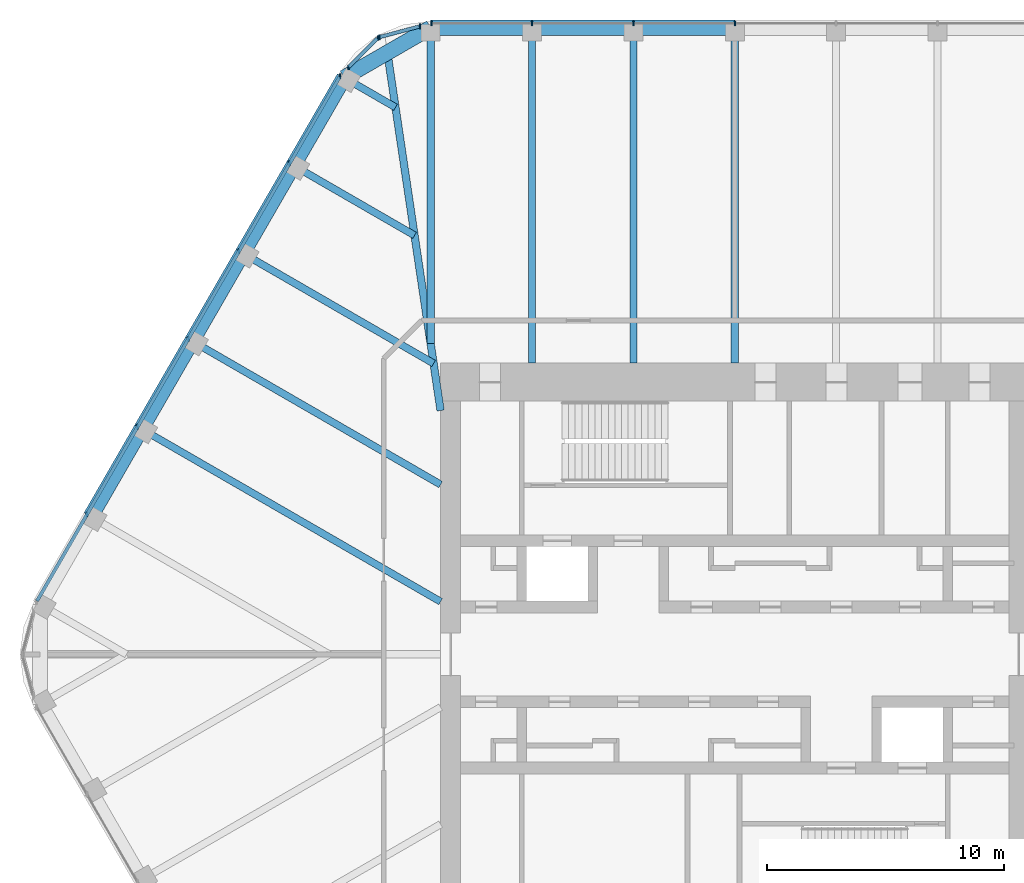
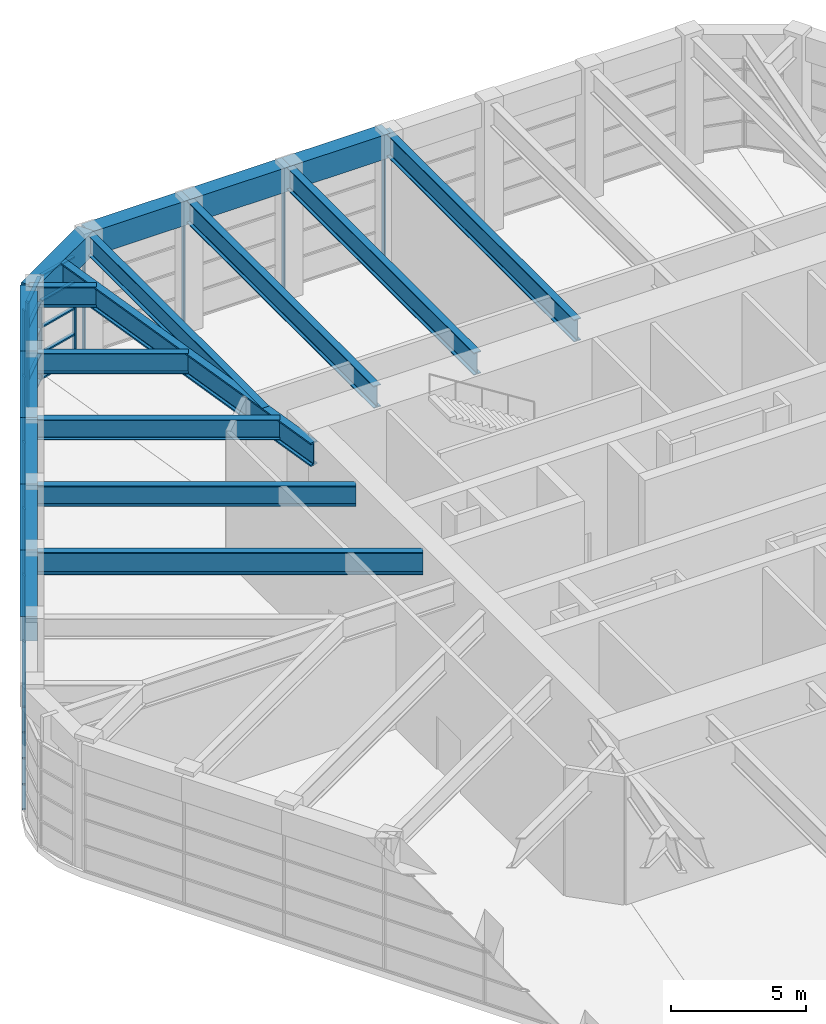
# One storey, part 7 of 16: 29 members, 19 beams, 4 elements without a shape of their own.
"""IFC4 building model written with IfcOpenShell, lengths in metres."""

from ifc_helpers import new_model, si_unit, direction, frame, origin, origin_2d, place, context, subcontext, project, spatial, rectangle, i_section, extrude, material, material_profile, profile_set, type_object, element, aggregate, save


model = new_model("IFC4")

# Units and contexts
model_context = context("Model", 3, precision=1e-05, world=origin(), true_north=direction((0.0, 1.0)))
body_context = subcontext(model_context, "Body", "Model", "MODEL_VIEW")
ifc_project = project(units=[si_unit("LENGTHUNIT", "METRE"), si_unit("AREAUNIT", "SQUARE_METRE"), si_unit("VOLUMEUNIT", "CUBIC_METRE"), si_unit("PLANEANGLEUNIT", "RADIAN"), si_unit("MASSUNIT", "GRAM", prefix="KILO")], contexts=[model_context])

# Site, building, storey
site_placement = place(None, origin())
site = spatial("IfcSite", under=ifc_project, at=site_placement, CompositionType="ELEMENT")
building_placement = place(site_placement, origin())
building = spatial("IfcBuilding", under=site, at=building_placement, Name="Tarfa Lantern Tower", CompositionType="ELEMENT")
storey_placement = place(building_placement, frame((0.0, 0.0, 396.300048828125)))
storey = spatial("IfcBuildingStorey", under=building, at=storey_placement, Name="L90", CompositionType="ELEMENT", Elevation=396.300048828125)

# Curtain wall, members
ifc_material_1 = material(Name="Aluminium framed curtain wall", Category="aluminium")
curtain_wall_type = type_object("IfcCurtainWallType", Name="CW8 LANTERN GLAZING 4700", PredefinedType="USERDEFINED", material=ifc_material_1)
curtain_wall_1_placement = place(storey_placement, origin())
curtain_wall_1 = element("IfcCurtainWall", 1, at=curtain_wall_1_placement, inside=storey, type_object=curtain_wall_type, Name="CW8 NNW1 L90", ObjectType="CURTAIN WALL", PredefinedType="USERDEFINED")
ifc_material_2 = material(Name="Aluminium mullion", Category="aluminium")
ifc_material_profile_1 = material_profile(ifc_material_2, rectangle(XDim=0.06494140625, YDim=0.199951171875, at=origin_2d()), Name="AL MULLION 65x200")
ifc_profile_set_1 = profile_set([ifc_material_profile_1], Name="Aluminium mullion")
member_type_1 = type_object("IfcMemberType", Name="CWM1 MULLION 65x200", PredefinedType="MULLION", material=ifc_profile_set_1)
member_1_placement = place(storey_placement, frame((-13.30322265625, 26.527587890625, 0.0), z_axis=(0.0, 0.0, 1.0), x_axis=(1.0, 0.0, 0.0)))
member_1 = element("IfcMember", 2, at=member_1_placement, type_object=member_type_1, Name="CW8 mullion 1", PredefinedType="MULLION", context=body_context, shape_type="SweptSolid", body=[
    extrude(rectangle(XDim=0.06494140625, YDim=0.199951171875, at=origin_2d()), origin(), (0.0, 0.0, 1.0), 4.699951171875),
])
member_2_placement = place(storey_placement, frame((-15.0146484375, 26.06884765625, 0.0), z_axis=(0.0, 0.0, 1.0), x_axis=(1.0, 0.0, 0.0)))
member_2 = element("IfcMember", 3, at=member_2_placement, type_object=member_type_1, Name="CW8 mullion 2", PredefinedType="MULLION", context=body_context, shape_type="SweptSolid", body=[
    extrude(rectangle(XDim=0.06494140625, YDim=0.199951171875, at=origin_2d()), origin(), (0.0, 0.0, 1.0), 4.699951171875),
])

curtain_wall_2_placement = place(storey_placement, origin())
curtain_wall_2 = element("IfcCurtainWall", 4, at=curtain_wall_2_placement, inside=storey, type_object=curtain_wall_type, Name="CW8 NNW2 L90", ObjectType="CURTAIN WALL", PredefinedType="USERDEFINED")
member_3_placement = place(storey_placement, frame((-15.069091796875, 26.03759765625, 0.0), z_axis=(0.0, 0.0, 1.0), x_axis=(1.0, 0.0, 0.0)))
member_3 = element("IfcMember", 5, at=member_3_placement, type_object=member_type_1, Name="CW8 mullion 1", PredefinedType="MULLION", context=body_context, shape_type="SweptSolid", body=[
    extrude(rectangle(XDim=0.06494140625, YDim=0.199951171875, at=origin_2d()), origin(), (0.0, 0.0, 1.0), 4.699951171875),
])
member_4_placement = place(storey_placement, frame((-16.32177734375, 24.78466796875, 0.0), z_axis=(0.0, 0.0, 1.0), x_axis=(1.0, 0.0, 0.0)))
member_4 = element("IfcMember", 6, at=member_4_placement, type_object=member_type_1, Name="CW8 mullion 2", PredefinedType="MULLION", context=body_context, shape_type="SweptSolid", body=[
    extrude(rectangle(XDim=0.06494140625, YDim=0.199951171875, at=origin_2d()), origin(), (0.0, 0.0, 1.0), 4.699951171875),
])

curtain_wall_3_placement = place(storey_placement, origin())
curtain_wall_3 = element("IfcCurtainWall", 7, at=curtain_wall_3_placement, inside=storey, type_object=curtain_wall_type, Name="CW8 N L90", ObjectType="CURTAIN WALL", PredefinedType="USERDEFINED")
member_5_placement = place(storey_placement, frame((0.0, 26.64990234375, 0.0), z_axis=(0.0, 0.0, 1.0), x_axis=(1.0, 0.0, 0.0)))
member_5 = element("IfcMember", 8, at=member_5_placement, type_object=member_type_1, Name="CW8 mullion 4", PredefinedType="MULLION", context=body_context, shape_type="SweptSolid", body=[
    extrude(rectangle(XDim=0.06494140625, YDim=0.199951171875, at=origin_2d()), origin(), (0.0, 0.0, 1.0), 4.699951171875),
])
member_6_placement = place(storey_placement, frame((-4.281982421875, 26.64990234375, 0.0), z_axis=(0.0, 0.0, 1.0), x_axis=(1.0, 0.0, 0.0)))
member_6 = element("IfcMember", 9, at=member_6_placement, type_object=member_type_1, Name="CW8 mullion 5", PredefinedType="MULLION", context=body_context, shape_type="SweptSolid", body=[
    extrude(rectangle(XDim=0.06494140625, YDim=0.199951171875, at=origin_2d()), origin(), (0.0, 0.0, 1.0), 4.699951171875),
])
member_7_placement = place(storey_placement, frame((-8.56396484375, 26.64990234375, 0.0), z_axis=(0.0, 0.0, 1.0), x_axis=(1.0, 0.0, 0.0)))
member_7 = element("IfcMember", 10, at=member_7_placement, type_object=member_type_1, Name="CW8 mullion 6", PredefinedType="MULLION", context=body_context, shape_type="SweptSolid", body=[
    extrude(rectangle(XDim=0.06494140625, YDim=0.199951171875, at=origin_2d()), origin(), (0.0, 0.0, 1.0), 4.699951171875),
])
member_8_placement = place(storey_placement, frame((-12.8134765625, 26.64990234375, 0.0), z_axis=(0.0, 0.0, 1.0), x_axis=(1.0, 0.0, 0.0)))
member_8 = element("IfcMember", 11, at=member_8_placement, type_object=member_type_1, Name="CW8 mullion 7", PredefinedType="MULLION", context=body_context, shape_type="SweptSolid", body=[
    extrude(rectangle(XDim=0.06494140625, YDim=0.199951171875, at=origin_2d()), origin(), (0.0, 0.0, 1.0), 4.699951171875),
])
aggregate(curtain_wall_3, [member_5, member_6, member_7, member_8])

curtain_wall_4_placement = place(storey_placement, origin())
curtain_wall_4 = element("IfcCurtainWall", 12, at=curtain_wall_4_placement, inside=storey, type_object=curtain_wall_type, Name="CW8 NW L90", ObjectType="CURTAIN WALL", PredefinedType="USERDEFINED")
member_9_placement = place(storey_placement, frame((-16.6728515625, 24.421875, 0.0), z_axis=(0.0, 0.0, 1.0), x_axis=(1.0, 0.0, 0.0)))
member_9 = element("IfcMember", 13, at=member_9_placement, type_object=member_type_1, Name="CW8 mullion 1", PredefinedType="MULLION", context=body_context, shape_type="SweptSolid", body=[
    extrude(rectangle(XDim=0.06494140625, YDim=0.199951171875, at=origin_2d()), origin(), (0.0, 0.0, 1.0), 4.699951171875),
])
member_10_placement = place(storey_placement, frame((-18.797607421875, 20.74169921875, 0.0), z_axis=(0.0, 0.0, 1.0), x_axis=(1.0, 0.0, 0.0)))
member_10 = element("IfcMember", 14, at=member_10_placement, type_object=member_type_1, Name="CW8 mullion 2", PredefinedType="MULLION", context=body_context, shape_type="SweptSolid", body=[
    extrude(rectangle(XDim=0.06494140625, YDim=0.199951171875, at=origin_2d()), origin(), (0.0, 0.0, 1.0), 4.699951171875),
])
member_11_placement = place(storey_placement, frame((-20.9384765625, 17.033447265625, 0.0), z_axis=(0.0, 0.0, 1.0), x_axis=(1.0, 0.0, 0.0)))
member_11 = element("IfcMember", 15, at=member_11_placement, type_object=member_type_1, Name="CW8 mullion 3", PredefinedType="MULLION", context=body_context, shape_type="SweptSolid", body=[
    extrude(rectangle(XDim=0.06494140625, YDim=0.199951171875, at=origin_2d()), origin(), (0.0, 0.0, 1.0), 4.699951171875),
])
member_12_placement = place(storey_placement, frame((-23.07958984375, 13.324951171875, 0.0), z_axis=(0.0, 0.0, 1.0), x_axis=(1.0, 0.0, 0.0)))
member_12 = element("IfcMember", 16, at=member_12_placement, type_object=member_type_1, Name="CW8 mullion 4", PredefinedType="MULLION", context=body_context, shape_type="SweptSolid", body=[
    extrude(rectangle(XDim=0.06494140625, YDim=0.199951171875, at=origin_2d()), origin(), (0.0, 0.0, 1.0), 4.699951171875),
])
member_13_placement = place(storey_placement, frame((-25.220703125, 9.61669921875, 0.0), z_axis=(0.0, 0.0, 1.0), x_axis=(1.0, 0.0, 0.0)))
member_13 = element("IfcMember", 17, at=member_13_placement, type_object=member_type_1, Name="CW8 mullion 5", PredefinedType="MULLION", context=body_context, shape_type="SweptSolid", body=[
    extrude(rectangle(XDim=0.06494140625, YDim=0.199951171875, at=origin_2d()), origin(), (0.0, 0.0, 1.0), 4.699951171875),
])
member_14_placement = place(storey_placement, frame((-27.361572265625, 5.908447265625, 0.0), z_axis=(0.0, 0.0, 1.0), x_axis=(1.0, 0.0, 0.0)))
member_14 = element("IfcMember", 18, at=member_14_placement, type_object=member_type_1, Name="CW8 mullion 6", PredefinedType="MULLION", context=body_context, shape_type="SweptSolid", body=[
    extrude(rectangle(XDim=0.06494140625, YDim=0.199951171875, at=origin_2d()), origin(), (0.0, 0.0, 1.0), 4.699951171875),
])

# Member
ifc_material_3 = material(Name="Aluminium transom", Category="aluminium")
ifc_material_profile_2 = material_profile(ifc_material_3, rectangle(XDim=0.14990234375, YDim=0.06494140625, at=origin_2d()), Name="AL TRANSOM 150x65")
ifc_profile_set_2 = profile_set([ifc_material_profile_2], Name="Aluminium transom")
member_type_2 = type_object("IfcMemberType", Name="CWT1 TRANSOM 150x65", PredefinedType="USERDEFINED", material=ifc_profile_set_2)
member_15_placement = place(storey_placement, frame((-13.334716796875, 26.51904296875, 0.032470703125), z_axis=(-0.965932726646, -0.258793291247, 0.0), x_axis=(0.258793291247, -0.965932726646, 0.0)))
member_15 = element("IfcMember", 19, at=member_15_placement, type_object=member_type_2, Name="CW8 transom 1.1", ObjectType="TRANSOM", PredefinedType="USERDEFINED", context=body_context, shape_type="SweptSolid", body=[
    extrude(rectangle(XDim=0.14990234375, YDim=0.06494140625, at=origin_2d()), origin(), (0.0, 0.0, 1.0), 1.70654296875),
])

member_16_placement = place(storey_placement, frame((-13.334716796875, 26.51904296875, 1.175048828125), z_axis=(-0.965932726646, -0.258793291247, 0.0), x_axis=(0.258793291247, -0.965932726646, 0.0)))
member_16 = element("IfcMember", 20, at=member_16_placement, type_object=member_type_2, Name="CW8 transom 1.2", ObjectType="TRANSOM", PredefinedType="USERDEFINED", context=body_context, shape_type="SweptSolid", body=[
    extrude(rectangle(XDim=0.14990234375, YDim=0.06494140625, at=origin_2d()), origin(), (0.0, 0.0, 1.0), 1.70654296875),
])

member_17_placement = place(storey_placement, frame((-13.334716796875, 26.51904296875, 2.349853515625), z_axis=(-0.965932726646, -0.258793291247, 0.0), x_axis=(0.258793291247, -0.965932726646, 0.0)))
member_17 = element("IfcMember", 21, at=member_17_placement, type_object=member_type_2, Name="CW8 transom 1.3", ObjectType="TRANSOM", PredefinedType="USERDEFINED", context=body_context, shape_type="SweptSolid", body=[
    extrude(rectangle(XDim=0.14990234375, YDim=0.06494140625, at=origin_2d()), origin(), (0.0, 0.0, 1.0), 1.70654296875),
])

member_18_placement = place(storey_placement, frame((-13.334716796875, 26.51904296875, 3.52490234375), z_axis=(-0.965932726646, -0.258793291247, 0.0), x_axis=(0.258793291247, -0.965932726646, 0.0)))
member_18 = element("IfcMember", 22, at=member_18_placement, type_object=member_type_2, Name="CW8 transom 1.4", ObjectType="TRANSOM", PredefinedType="USERDEFINED", context=body_context, shape_type="SweptSolid", body=[
    extrude(rectangle(XDim=0.14990234375, YDim=0.06494140625, at=origin_2d()), origin(), (0.0, 0.0, 1.0), 1.70654296875),
])

member_19_placement = place(storey_placement, frame((-13.334716796875, 26.51904296875, 4.66748046875), z_axis=(-0.965932726646, -0.258793291247, 0.0), x_axis=(0.258793291247, -0.965932726646, 0.0)))
member_19 = element("IfcMember", 23, at=member_19_placement, type_object=member_type_2, Name="CW8 transom 1.5", ObjectType="TRANSOM", PredefinedType="USERDEFINED", context=body_context, shape_type="SweptSolid", body=[
    extrude(rectangle(XDim=0.14990234375, YDim=0.06494140625, at=origin_2d()), origin(), (0.0, 0.0, 1.0), 1.70654296875),
])

aggregate(curtain_wall_1, [member_1, member_2, member_15, member_16, member_17, member_18, member_19])

member_20_placement = place(storey_placement, frame((-15.092041015625, 26.0146484375, 0.032470703125), z_axis=(-0.707035258729, -0.70717829641, 0.0), x_axis=(0.70717829641, -0.707035258729, 0.0)))
member_20 = element("IfcMember", 24, at=member_20_placement, type_object=member_type_2, Name="CW8 transom 1.1", ObjectType="TRANSOM", PredefinedType="USERDEFINED", context=body_context, shape_type="SweptSolid", body=[
    extrude(rectangle(XDim=0.14990234375, YDim=0.06494140625, at=origin_2d()), origin(), (0.0, 0.0, 1.0), 1.706787109375),
])

member_21_placement = place(storey_placement, frame((-15.092041015625, 26.0146484375, 1.175048828125), z_axis=(-0.707035258729, -0.70717829641, 0.0), x_axis=(0.70717829641, -0.707035258729, 0.0)))
member_21 = element("IfcMember", 25, at=member_21_placement, type_object=member_type_2, Name="CW8 transom 1.2", ObjectType="TRANSOM", PredefinedType="USERDEFINED", context=body_context, shape_type="SweptSolid", body=[
    extrude(rectangle(XDim=0.14990234375, YDim=0.06494140625, at=origin_2d()), origin(), (0.0, 0.0, 1.0), 1.706787109375),
])

member_22_placement = place(storey_placement, frame((-15.092041015625, 26.0146484375, 2.349853515625), z_axis=(-0.707035258729, -0.70717829641, 0.0), x_axis=(0.70717829641, -0.707035258729, 0.0)))
member_22 = element("IfcMember", 26, at=member_22_placement, type_object=member_type_2, Name="CW8 transom 1.3", ObjectType="TRANSOM", PredefinedType="USERDEFINED", context=body_context, shape_type="SweptSolid", body=[
    extrude(rectangle(XDim=0.14990234375, YDim=0.06494140625, at=origin_2d()), origin(), (0.0, 0.0, 1.0), 1.706787109375),
])

member_23_placement = place(storey_placement, frame((-15.092041015625, 26.0146484375, 3.52490234375), z_axis=(-0.707035258729, -0.70717829641, 0.0), x_axis=(0.70717829641, -0.707035258729, 0.0)))
member_23 = element("IfcMember", 27, at=member_23_placement, type_object=member_type_2, Name="CW8 transom 1.4", ObjectType="TRANSOM", PredefinedType="USERDEFINED", context=body_context, shape_type="SweptSolid", body=[
    extrude(rectangle(XDim=0.14990234375, YDim=0.06494140625, at=origin_2d()), origin(), (0.0, 0.0, 1.0), 1.706787109375),
])

member_24_placement = place(storey_placement, frame((-15.092041015625, 26.0146484375, 4.66748046875), z_axis=(-0.707035258729, -0.70717829641, 0.0), x_axis=(0.70717829641, -0.707035258729, 0.0)))
member_24 = element("IfcMember", 28, at=member_24_placement, type_object=member_type_2, Name="CW8 transom 1.5", ObjectType="TRANSOM", PredefinedType="USERDEFINED", context=body_context, shape_type="SweptSolid", body=[
    extrude(rectangle(XDim=0.14990234375, YDim=0.06494140625, at=origin_2d()), origin(), (0.0, 0.0, 1.0), 1.706787109375),
])

aggregate(curtain_wall_2, [member_3, member_4, member_20, member_21, member_22, member_23, member_24])

member_25_placement = place(storey_placement, frame((-16.68896484375, 24.393798828125, 0.032470703125), z_axis=(-0.500005475065, -0.866022242731, 0.0), x_axis=(0.866022242731, -0.500005475065, 0.0)))
member_25 = element("IfcMember", 29, at=member_25_placement, type_object=member_type_2, Name="CW8 transom 1.1", ObjectType="TRANSOM", PredefinedType="USERDEFINED", context=body_context, shape_type="SweptSolid", body=[
    extrude(rectangle(XDim=0.14990234375, YDim=0.06494140625, at=origin_2d()), origin(), (0.0, 0.0, 1.0), 25.562255859375),
])

member_26_placement = place(storey_placement, frame((-16.68896484375, 24.393798828125, 1.175048828125), z_axis=(-0.500005475065, -0.866022242731, 0.0), x_axis=(0.866022242731, -0.500005475065, 0.0)))
member_26 = element("IfcMember", 30, at=member_26_placement, type_object=member_type_2, Name="CW8 transom 1.2", ObjectType="TRANSOM", PredefinedType="USERDEFINED", context=body_context, shape_type="SweptSolid", body=[
    extrude(rectangle(XDim=0.14990234375, YDim=0.06494140625, at=origin_2d()), origin(), (0.0, 0.0, 1.0), 25.562255859375),
])

member_27_placement = place(storey_placement, frame((-16.68896484375, 24.393798828125, 2.349853515625), z_axis=(-0.500005475065, -0.866022242731, 0.0), x_axis=(0.866022242731, -0.500005475065, 0.0)))
member_27 = element("IfcMember", 31, at=member_27_placement, type_object=member_type_2, Name="CW8 transom 1.3", ObjectType="TRANSOM", PredefinedType="USERDEFINED", context=body_context, shape_type="SweptSolid", body=[
    extrude(rectangle(XDim=0.14990234375, YDim=0.06494140625, at=origin_2d()), origin(), (0.0, 0.0, 1.0), 25.562255859375),
])

member_28_placement = place(storey_placement, frame((-16.68896484375, 24.393798828125, 3.52490234375), z_axis=(-0.500005475065, -0.866022242731, 0.0), x_axis=(0.866022242731, -0.500005475065, 0.0)))
member_28 = element("IfcMember", 32, at=member_28_placement, type_object=member_type_2, Name="CW8 transom 1.4", ObjectType="TRANSOM", PredefinedType="USERDEFINED", context=body_context, shape_type="SweptSolid", body=[
    extrude(rectangle(XDim=0.14990234375, YDim=0.06494140625, at=origin_2d()), origin(), (0.0, 0.0, 1.0), 25.562255859375),
])

member_29_placement = place(storey_placement, frame((-16.68896484375, 24.393798828125, 4.66748046875), z_axis=(-0.500005475065, -0.866022242731, 0.0), x_axis=(0.866022242731, -0.500005475065, 0.0)))
member_29 = element("IfcMember", 33, at=member_29_placement, type_object=member_type_2, Name="CW8 transom 1.5", ObjectType="TRANSOM", PredefinedType="USERDEFINED", context=body_context, shape_type="SweptSolid", body=[
    extrude(rectangle(XDim=0.14990234375, YDim=0.06494140625, at=origin_2d()), origin(), (0.0, 0.0, 1.0), 25.562255859375),
])

aggregate(curtain_wall_4, [member_9, member_10, member_11, member_12, member_13, member_14, member_25, member_26, member_27, member_28, member_29])

# Beams
ifc_material_4 = material(Name="Concrete C80/95", Category="concrete")
ifc_material_profile_3 = material_profile(ifc_material_4, rectangle(XDim=0.64990234375, YDim=1.10009765625, at=origin_2d()), Name="RC 650x1100")
ifc_profile_set_3 = profile_set([ifc_material_profile_3], Name="Concrete C80/95")
beam_type_1 = type_object("IfcBeamType", Name="EB4 RC 650x1100", PredefinedType="SPANDREL", material=ifc_profile_set_3)
for number, where, z_axis, x_axis, name in (
    (34, (0.0, 26.469970703125, 5.25), (-1.0, 0.0, 0.0), (0.0, -1.0, 0.0), "Edge beam N3"),
    (35, (-4.281982421875, 26.469970703125, 5.25), (-1.0, 0.0, 0.0), (0.0, -1.0, 0.0), "Edge beam N4"),
    (36, (-8.56396484375, 26.469970703125, 5.25), (-1.0, 0.0, 0.0), (0.0, -1.0, 0.0), "Edge beam N5"),
):
    element("IfcBeam", number, at=place(storey_placement, frame(where, z_axis=z_axis, x_axis=x_axis)), inside=storey, type_object=beam_type_1, Name=name, PredefinedType="SPANDREL", context=body_context, shape_type="SweptSolid", body=[
        extrude(rectangle(XDim=0.64990234375, YDim=1.10009765625, at=origin_2d()), origin(), (0.0, 0.0, 1.0), 4.281982421875),
    ])
beam_1_placement = place(storey_placement, frame((-12.845947265625, 26.469970703125, 5.25), z_axis=(-0.866048788483, -0.499959494327, 0.0), x_axis=(0.499959494327, -0.866048788483, 0.0)))
element("IfcBeam", 37, at=beam_1_placement, inside=storey, type_object=beam_type_1, Name="Edge beam N6", PredefinedType="SPANDREL", context=body_context, shape_type="SweptSolid", body=[
    extrude(rectangle(XDim=0.64990234375, YDim=1.10009765625, at=origin_2d()), origin(), (0.0, 0.0, 1.0), 4.219970703125),
])
for number, where, z_axis, x_axis, name in (
    (38, (-16.500732421875, 24.360107421875, 5.25), (-0.499959351497, -0.866048870937, 0.0), (0.866048870937, -0.499959351497, 0.0), "Edge beam NW0"),
    (39, (-18.6416015625, 20.651611328125, 5.25), (-0.500026801138, -0.866009929587, 0.0), (0.866009929587, -0.500026801138, 0.0), "Edge beam NW1"),
    (40, (-20.78271484375, 16.943359375, 5.25), (-0.499984039138, -0.866034618596, 0.0), (0.866034618596, -0.499984039138, 0.0), "Edge beam NW2"),
):
    element("IfcBeam", number, at=place(storey_placement, frame(where, z_axis=z_axis, x_axis=x_axis)), inside=storey, type_object=beam_type_1, Name=name, PredefinedType="SPANDREL", context=body_context, shape_type="SweptSolid", body=[
        extrude(rectangle(XDim=0.64990234375, YDim=1.10009765625, at=origin_2d()), origin(), (0.0, 0.0, 1.0), 4.281982421875),
    ])
beam_2_placement = place(storey_placement, frame((-22.923583984375, 13.235107421875, 5.25), z_axis=(-0.500002112793, -0.866024183959, 0.0), x_axis=(0.866024183959, -0.500002112793, 0.0)))
element("IfcBeam", 41, at=beam_2_placement, inside=storey, type_object=beam_type_1, Name="Edge beam NW3", PredefinedType="SPANDREL", context=body_context, shape_type="SweptSolid", body=[
    extrude(rectangle(XDim=0.64990234375, YDim=1.10009765625, at=origin_2d()), origin(), (0.0, 0.0, 1.0), 4.2822265625),
])
beam_3_placement = place(storey_placement, frame((-25.064697265625, 9.526611328125, 5.25), z_axis=(-0.500026801138, -0.866009929587, 0.0), x_axis=(0.866009929587, -0.500026801138, 0.0)))
element("IfcBeam", 42, at=beam_3_placement, inside=storey, type_object=beam_type_1, Name="Edge beam NW4", PredefinedType="SPANDREL", context=body_context, shape_type="SweptSolid", body=[
    extrude(rectangle(XDim=0.64990234375, YDim=1.10009765625, at=origin_2d()), origin(), (0.0, 0.0, 1.0), 4.281982421875),
])
ifc_material_5 = material(Name="Steel S460M", Category="steel")
ifc_material_profile_4 = material_profile(ifc_material_5, i_section(OverallWidth=0.302001953125, OverallDepth=1.008056640625, WebThickness=0.02099609375, FlangeThickness=0.0400390625, FilletRadius=0.030029296875, at=origin_2d()), Name="UB1016x305x349")
ifc_profile_set_4 = profile_set([ifc_material_profile_4], Name="Steel S460M")
beam_type_2 = type_object("IfcBeamType", Name="UB1016x305x349", PredefinedType="BEAM", material=ifc_profile_set_4)
for number, where, z_axis, x_axis, name in (
    (43, (0.0, 26.469970703125, 5.2958984375), (0.0, -1.0, 0.0), (1.0, 0.0, 0.0), "Floor beam N3"),
    (44, (-4.281982421875, 26.469970703125, 5.2958984375), (0.0, -1.0, 0.0), (1.0, 0.0, 0.0), "Floor beam N4"),
    (45, (-8.56396484375, 26.469970703125, 5.2958984375), (0.0, -1.0, 0.0), (1.0, 0.0, 0.0), "Floor beam N5"),
):
    element("IfcBeam", number, at=place(storey_placement, frame(where, z_axis=z_axis, x_axis=x_axis)), inside=storey, type_object=beam_type_2, Name=name, PredefinedType="BEAM", context=body_context, shape_type="SweptSolid", body=[
        extrude(i_section(OverallWidth=0.302001953125, OverallDepth=1.008056640625, WebThickness=0.02099609375, FlangeThickness=0.0400390625, FilletRadius=0.030029296875, at=origin_2d()), origin(), (0.0, 0.0, 1.0), 14.169921875),
    ])
beam_4_placement = place(storey_placement, frame((-25.064697265625, 9.526611328125, 5.2958984375), z_axis=(0.866029591389, -0.499992746786, 0.0), x_axis=(0.499992746786, 0.866029591389, 0.0)))
element("IfcBeam", 46, at=beam_4_placement, inside=storey, type_object=beam_type_2, Name="Floor beam NW4", PredefinedType="BEAM", context=body_context, shape_type="SweptSolid", body=[
    extrude(i_section(OverallWidth=0.302001953125, OverallDepth=1.008056640625, WebThickness=0.02099609375, FlangeThickness=0.0400390625, FilletRadius=0.030029296875, at=origin_2d()), origin(), (0.0, 0.0, 1.0), 14.594970703125),
])
ifc_material_profile_5 = material_profile(ifc_material_5, i_section(OverallWidth=0.314208984375, OverallDepth=1.055908203125, WebThickness=0.035888671875, FlangeThickness=0.06396484375, FilletRadius=0.030029296875, at=origin_2d()), Name="UB1016x305x584")
ifc_profile_set_5 = profile_set([ifc_material_profile_5], Name="Steel S460M")
beam_type_3 = type_object("IfcBeamType", Name="UB1016x305x584", PredefinedType="BEAM", material=ifc_profile_set_5)
beam_5_placement = place(storey_placement, frame((-12.425048828125, 10.300048828125, 5.27197265625), z_axis=(-0.147127069073, 0.989117599452, 0.0), x_axis=(-0.989117599452, -0.147127069073, 0.0)))
element("IfcBeam", 47, at=beam_5_placement, inside=storey, type_object=beam_type_3, Name="Hip girder NW", PredefinedType="BEAM", context=body_context, shape_type="SweptSolid", body=[
    extrude(i_section(OverallWidth=0.314208984375, OverallDepth=1.055908203125, WebThickness=0.035888671875, FlangeThickness=0.06396484375, FilletRadius=0.030029296875, at=origin_2d()), origin(), (0.0, 0.0, 1.0), 15.28125),
])
ifc_material_profile_6 = material_profile(ifc_material_5, i_section(OverallWidth=0.305419921875, OverallDepth=0.91845703125, WebThickness=0.017333984375, FlangeThickness=0.02783203125, FilletRadius=0.01904296875, at=origin_2d()), Name="UB914x305x253")
ifc_profile_set_6 = profile_set([ifc_material_profile_6], Name="Steel S460M")
beam_type_4 = type_object("IfcBeamType", Name="UB914x305x253", PredefinedType="BEAM", material=ifc_profile_set_6)
beam_6_placement = place(storey_placement, frame((-12.845947265625, 26.469970703125, 5.3408203125), z_axis=(0.0, -1.0, 0.0), x_axis=(1.0, 0.0, 0.0)))
element("IfcBeam", 48, at=beam_6_placement, inside=storey, type_object=beam_type_4, Name="Floor beam N6", PredefinedType="BEAM", context=body_context, shape_type="SweptSolid", body=[
    extrude(i_section(OverallWidth=0.305419921875, OverallDepth=0.91845703125, WebThickness=0.017333984375, FlangeThickness=0.02783203125, FilletRadius=0.01904296875, at=origin_2d()), origin(), (0.0, 0.0, 1.0), 13.33935546875),
])
beam_7_placement = place(storey_placement, frame((-16.500732421875, 24.360107421875, 5.3408203125), z_axis=(0.865992557167, -0.500056887695, 0.0), x_axis=(0.500056887695, 0.865992557167, 0.0)))
element("IfcBeam", 49, at=beam_7_placement, inside=storey, type_object=beam_type_4, Name="Floor beam NW0", PredefinedType="BEAM", context=body_context, shape_type="SweptSolid", body=[
    extrude(i_section(OverallWidth=0.305419921875, OverallDepth=0.91845703125, WebThickness=0.017333984375, FlangeThickness=0.02783203125, FilletRadius=0.01904296875, at=origin_2d()), origin(), (0.0, 0.0, 1.0), 2.506591796875),
])
beam_8_placement = place(storey_placement, frame((-18.6416015625, 20.651611328125, 5.3408203125), z_axis=(0.866024549157, -0.500001480256, 0.0), x_axis=(0.500001480256, 0.866024549157, 0.0)))
element("IfcBeam", 50, at=beam_8_placement, inside=storey, type_object=beam_type_4, Name="Floor beam NW1", PredefinedType="BEAM", context=body_context, shape_type="SweptSolid", body=[
    extrude(i_section(OverallWidth=0.305419921875, OverallDepth=0.91845703125, WebThickness=0.017333984375, FlangeThickness=0.02783203125, FilletRadius=0.01904296875, at=origin_2d()), origin(), (0.0, 0.0, 1.0), 5.90771484375),
])
beam_9_placement = place(storey_placement, frame((-20.78271484375, 16.943359375, 5.3408203125), z_axis=(0.866021806508, -0.500006230613, 0.0), x_axis=(0.500006230613, 0.866021806508, 0.0)))
element("IfcBeam", 51, at=beam_9_placement, inside=storey, type_object=beam_type_4, Name="Floor beam NW2", PredefinedType="BEAM", context=body_context, shape_type="SweptSolid", body=[
    extrude(i_section(OverallWidth=0.305419921875, OverallDepth=0.91845703125, WebThickness=0.017333984375, FlangeThickness=0.02783203125, FilletRadius=0.01904296875, at=origin_2d()), origin(), (0.0, 0.0, 1.0), 9.30908203125),
])
beam_10_placement = place(storey_placement, frame((-22.923583984375, 13.235107421875, 5.3408203125), z_axis=(0.86601856927, -0.500011837539, 0.0), x_axis=(0.500011837539, 0.86601856927, 0.0)))
element("IfcBeam", 52, at=beam_10_placement, inside=storey, type_object=beam_type_4, Name="Floor beam NW3", PredefinedType="BEAM", context=body_context, shape_type="SweptSolid", body=[
    extrude(i_section(OverallWidth=0.305419921875, OverallDepth=0.91845703125, WebThickness=0.017333984375, FlangeThickness=0.02783203125, FilletRadius=0.01904296875, at=origin_2d()), origin(), (0.0, 0.0, 1.0), 12.122802734375),
])

save(model, "model.ifc")
